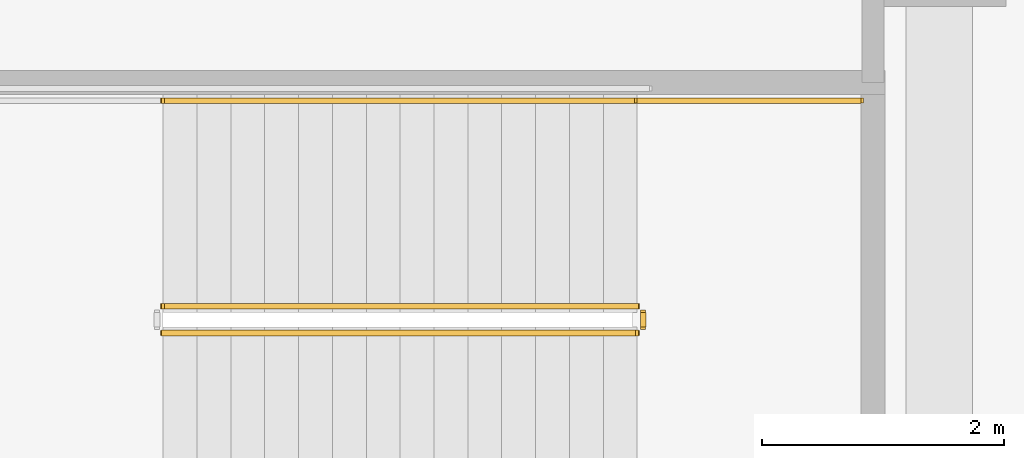
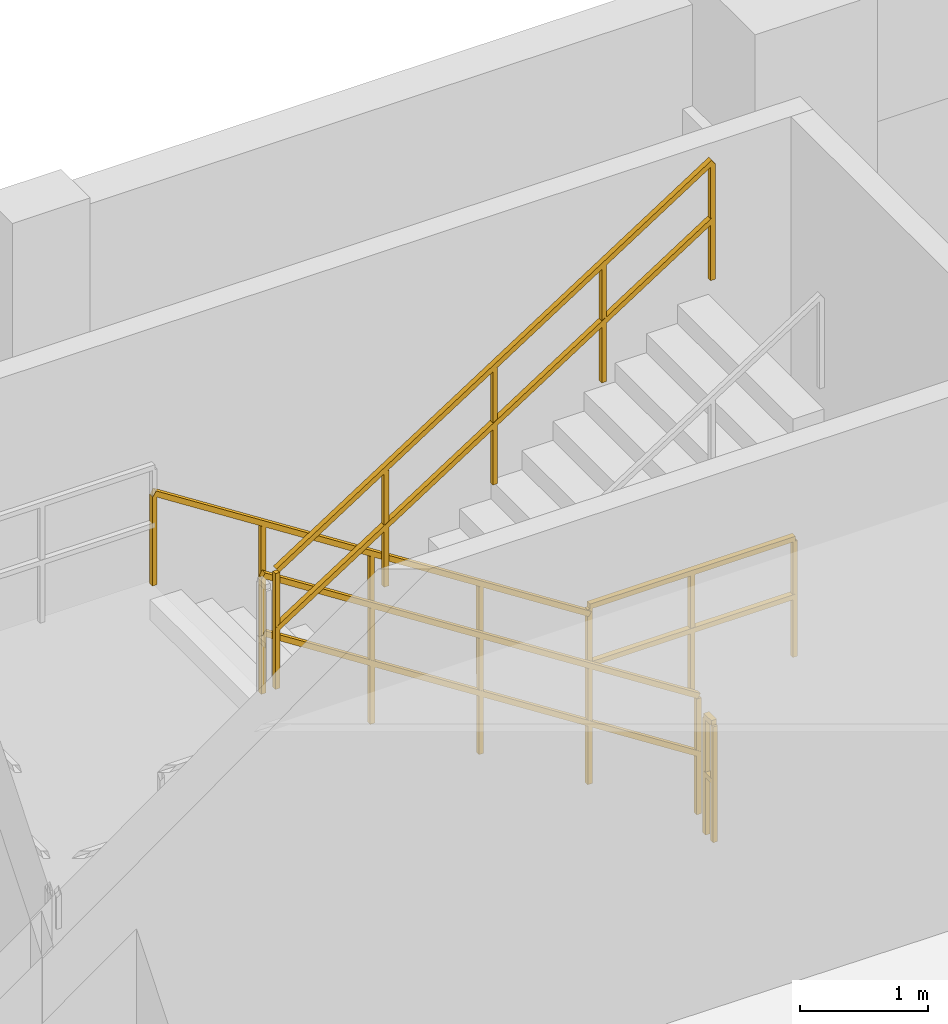
# One storey, part 24 of 25: 5 railings.
"""IFC4 building model written with IfcOpenShell, lengths in metres."""

from ifc_helpers import new_model, si_unit, direction, frame, origin, origin_2d, place, context, subcontext, project, spatial, rectangle, extrude, material, type_object, element, save


model = new_model("IFC4")

# Units and contexts
model_context = context("Model", 3, precision=1e-05, world=origin(), true_north=direction((-0.2419218956, 0.970295726276)))
body_context = subcontext(model_context, "Body", "Model", "MODEL_VIEW")
ifc_project = project(units=[si_unit("LENGTHUNIT", "METRE"), si_unit("AREAUNIT", "SQUARE_METRE"), si_unit("VOLUMEUNIT", "CUBIC_METRE"), si_unit("PLANEANGLEUNIT", "RADIAN"), si_unit("MASSUNIT", "GRAM", prefix="KILO")], contexts=[model_context])

# Site, building, storey
site_placement = place(None, origin())
site = spatial("IfcSite", under=ifc_project, at=site_placement, CompositionType="ELEMENT")
building_placement = place(site_placement, origin())
building = spatial("IfcBuilding", under=site, at=building_placement, Name="Cobrevalo Terracotta Tower", CompositionType="ELEMENT")
storey_placement = place(building_placement, origin())
storey = spatial("IfcBuildingStorey", under=building, at=storey_placement, Name="L00", CompositionType="ELEMENT", Elevation=0.0)

# Railings
ifc_material_1 = material(Name="Brushed stainless steel", Category="steel")
railing_type_1 = type_object("IfcRailingType", Name="Stainless Steel Stair Handrail 900", PredefinedType="HANDRAIL", material=ifc_material_1)
railing_1_placement = place(storey_placement, frame((64.5, 49.469970703125, 0.179931640625)))
element("IfcRailing", 1, at=railing_1_placement, inside=storey, type_object=railing_type_1, Name="L00 ST-P2 stair handrail 1", PredefinedType="HANDRAIL", context=body_context, shape_type="SweptSolid", body=[
    extrude(rectangle(XDim=0.048095703125, YDim=0.048095703125, at=origin_2d()), frame((0.0, 0.0, 0.8759765625), z_axis=(-0.841171666519, 0.0, 0.540768182723), x_axis=(0.0, -1.0, 0.0)), (0.0, 0.0, 1.0), 4.66015625),
    extrude(rectangle(XDim=0.0419921875, YDim=0.0419921875, at=origin_2d()), origin(), (0.0, 0.0, 1.0), 0.851806640625),
    extrude(rectangle(XDim=0.0419921875, YDim=0.0419921875, at=origin_2d()), frame((-0.97998046875, 0.0, 0.6298828125)), (0.0, 0.0, 1.0), 0.851806640625),
    extrude(rectangle(XDim=0.0419921875, YDim=0.0419921875, at=origin_2d()), frame((-1.9599609375, 0.0, 1.260009765625)), (0.0, 0.0, 1.0), 0.851806640625),
    extrude(rectangle(XDim=0.0419921875, YDim=0.0419921875, at=origin_2d()), frame((-2.93994140625, 0.0, 1.89013671875)), (0.0, 0.0, 1.0), 0.851806640625),
    extrude(rectangle(XDim=0.0419921875, YDim=0.0419921875, at=origin_2d()), frame((-3.919921875, 0.0, 2.52001953125)), (0.0, 0.0, 1.0), 0.851806640625),
])
ifc_material_2 = material(Name="Painted galvanized steel", Category="steel")
railing_type_2 = type_object("IfcRailingType", Name="Stair Well Guard Balustrade 1150", PredefinedType="GUARDRAIL", material=ifc_material_2)
railing_2_placement = place(storey_placement, frame((64.5, 47.77001953125, 0.179931640625)))
element("IfcRailing", 2, at=railing_2_placement, inside=storey, type_object=railing_type_2, Name="L00 ST-P2 stair guard 1", PredefinedType="GUARDRAIL", context=body_context, shape_type="SweptSolid", body=[
    extrude(rectangle(XDim=0.048095703125, YDim=0.048095703125, at=origin_2d()), frame((0.0, 0.0, 1.1259765625), z_axis=(-0.841171666519, 0.0, 0.540768182723), x_axis=(0.0, -1.0, 0.0)), (0.0, 0.0, 1.0), 4.66015625),
    extrude(rectangle(XDim=0.048095703125, YDim=0.048095703125, at=origin_2d()), frame((0.0, 0.0, 0.574951171875), z_axis=(-0.841171666519, 0.0, 0.540768182723), x_axis=(0.0, -1.0, 0.0)), (0.0, 0.0, 1.0), 4.66015625),
    extrude(rectangle(XDim=0.0419921875, YDim=0.0419921875, at=origin_2d()), origin(), (0.0, 0.0, 1.0), 1.101806640625),
    extrude(rectangle(XDim=0.0419921875, YDim=0.0419921875, at=origin_2d()), frame((-0.97998046875, 0.0, 0.6298828125)), (0.0, 0.0, 1.0), 1.101806640625),
    extrude(rectangle(XDim=0.0419921875, YDim=0.0419921875, at=origin_2d()), frame((-1.9599609375, 0.0, 1.260009765625)), (0.0, 0.0, 1.0), 1.101806640625),
    extrude(rectangle(XDim=0.0419921875, YDim=0.0419921875, at=origin_2d()), frame((-2.93994140625, 0.0, 1.89013671875)), (0.0, 0.0, 1.0), 1.101806640625),
    extrude(rectangle(XDim=0.0419921875, YDim=0.0419921875, at=origin_2d()), frame((-3.919921875, 0.0, 2.52001953125)), (0.0, 0.0, 1.0), 1.101806640625),
])
railing_3_placement = place(storey_placement, frame((60.580078125, 47.550048828125, 2.8798828125)))
element("IfcRailing", 3, at=railing_3_placement, inside=storey, type_object=railing_type_2, Name="L00 ST-P2 stair guard 6", PredefinedType="GUARDRAIL", context=body_context, shape_type="SweptSolid", body=[
    extrude(rectangle(XDim=0.048095703125, YDim=0.048095703125, at=origin_2d()), frame((0.0, 0.0, 1.1259765625), z_axis=(0.841171666519, 0.0, 0.540768182723), x_axis=(0.0, 1.0, 0.0)), (0.0, 0.0, 1.0), 4.66015625),
    extrude(rectangle(XDim=0.048095703125, YDim=0.048095703125, at=origin_2d()), frame((0.0, 0.0, 0.574951171875), z_axis=(0.841171666519, 0.0, 0.540768182723), x_axis=(0.0, 1.0, 0.0)), (0.0, 0.0, 1.0), 4.66015625),
    extrude(rectangle(XDim=0.0419921875, YDim=0.0419921875, at=origin_2d()), origin(), (0.0, 0.0, 1.0), 1.101806640625),
    extrude(rectangle(XDim=0.0419921875, YDim=0.0419921875, at=origin_2d()), frame((0.97998046875, 0.0, 0.6298828125)), (0.0, 0.0, 1.0), 1.101806640625),
    extrude(rectangle(XDim=0.0419921875, YDim=0.0419921875, at=origin_2d()), frame((1.9599609375, 0.0, 1.260009765625)), (0.0, 0.0, 1.0), 1.101806640625),
    extrude(rectangle(XDim=0.0419921875, YDim=0.0419921875, at=origin_2d()), frame((2.93994140625, 0.0, 1.89013671875)), (0.0, 0.0, 1.0), 1.101806640625),
    extrude(rectangle(XDim=0.0419921875, YDim=0.0419921875, at=origin_2d()), frame((3.919921875, 0.0, 2.52001953125)), (0.0, 0.0, 1.0), 1.101806640625),
])
railing_4_placement = place(storey_placement, frame((64.550048828125, 47.719970703125, 0.0)))
element("IfcRailing", 4, at=railing_4_placement, inside=storey, type_object=railing_type_2, Name="L00 ST-P2 stair guard 7", PredefinedType="GUARDRAIL", context=body_context, shape_type="SweptSolid", body=[
    extrude(rectangle(XDim=0.048095703125, YDim=0.048095703125, at=origin_2d()), frame((0.0, 0.0, 1.1259765625), z_axis=(0.0, -1.0, 0.0), x_axis=(1.0, 0.0, 0.0)), (0.0, 0.0, 1.0), 0.119873046875),
    extrude(rectangle(XDim=0.048095703125, YDim=0.048095703125, at=origin_2d()), frame((0.0, 0.0, 0.574951171875), z_axis=(0.0, -1.0, 0.0), x_axis=(1.0, 0.0, 0.0)), (0.0, 0.0, 1.0), 0.119873046875),
    extrude(rectangle(XDim=0.0419921875, YDim=0.0419921875, at=origin_2d()), origin(), (0.0, 0.0, 1.0), 1.101806640625),
    extrude(rectangle(XDim=0.0419921875, YDim=0.0419921875, at=origin_2d()), frame((0.0, -0.119873046875, 0.0)), (0.0, 0.0, 1.0), 1.101806640625),
])
railing_5_placement = place(storey_placement, frame((66.35009765625, 49.469970703125, 0.0)))
element("IfcRailing", 5, at=railing_5_placement, inside=storey, type_object=railing_type_2, Name="L00 ST-P2 stair guard 8", PredefinedType="GUARDRAIL", context=body_context, shape_type="SweptSolid", body=[
    extrude(rectangle(XDim=0.048095703125, YDim=0.048095703125, at=origin_2d()), frame((0.0, 0.0, 1.1259765625), z_axis=(-1.0, 0.0, 0.0), x_axis=(0.0, -1.0, 0.0)), (0.0, 0.0, 1.0), 1.85009765625),
    extrude(rectangle(XDim=0.048095703125, YDim=0.048095703125, at=origin_2d()), frame((0.0, 0.0, 0.574951171875), z_axis=(-1.0, 0.0, 0.0), x_axis=(0.0, -1.0, 0.0)), (0.0, 0.0, 1.0), 1.85009765625),
    extrude(rectangle(XDim=0.0419921875, YDim=0.0419921875, at=origin_2d()), origin(), (0.0, 0.0, 1.0), 1.101806640625),
    extrude(rectangle(XDim=0.0419921875, YDim=0.0419921875, at=origin_2d()), frame((-0.925048828125, 0.0, 0.0)), (0.0, 0.0, 1.0), 1.101806640625),
    extrude(rectangle(XDim=0.0419921875, YDim=0.0419921875, at=origin_2d()), frame((-1.85009765625, 0.0, 0.0)), (0.0, 0.0, 1.0), 1.101806640625),
])

save(model, "model.ifc")
